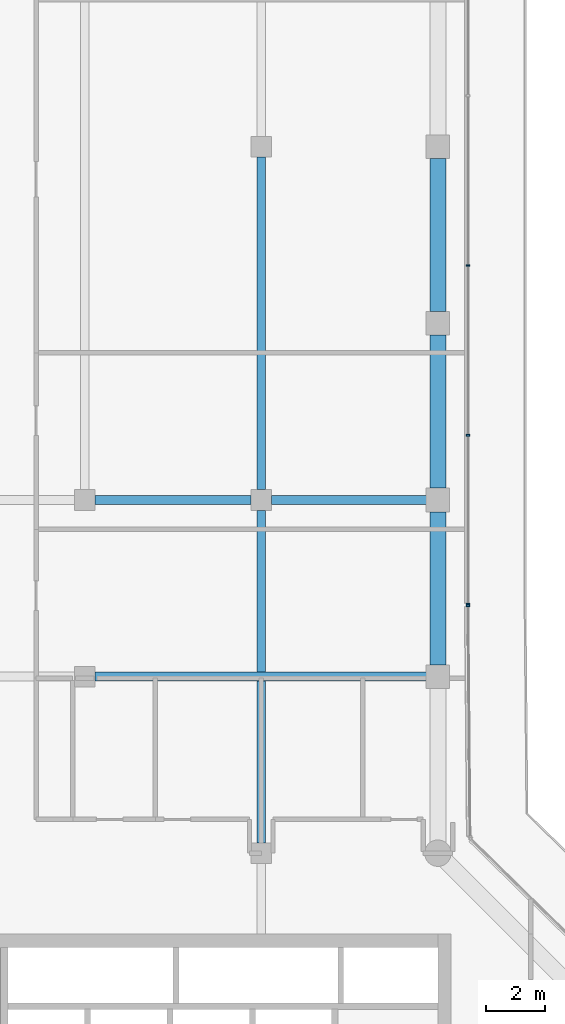
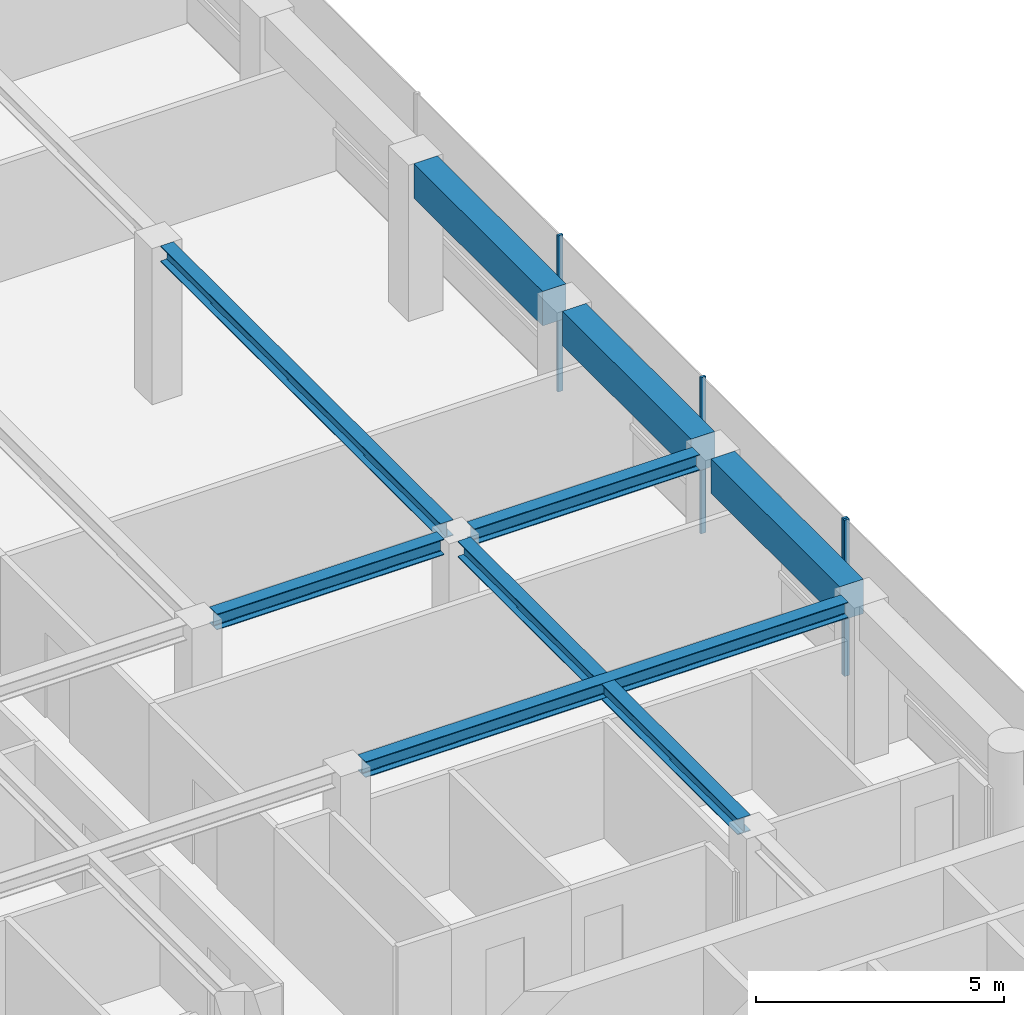
# One storey, part 7 of 19: 8 beams, 4 members, 2 elements without a shape of their own.
"""IFC4 building model written with IfcOpenShell, lengths in metres."""

from ifc_helpers import new_model, si_unit, direction, frame, origin, origin_2d, place, context, subcontext, project, spatial, rectangle, i_section, extrude, material, layer, layer_set, material_profile, profile_set, type_object, element, aggregate, save


model = new_model("IFC4")

# Units and contexts
model_context = context("Model", 3, precision=1e-05, world=origin(), true_north=direction((0.0, 1.0)))
body_context = subcontext(model_context, "Body", "Model", "MODEL_VIEW")
ifc_project = project(units=[si_unit("LENGTHUNIT", "METRE"), si_unit("AREAUNIT", "SQUARE_METRE"), si_unit("VOLUMEUNIT", "CUBIC_METRE"), si_unit("PLANEANGLEUNIT", "RADIAN"), si_unit("MASSUNIT", "GRAM", prefix="KILO")], contexts=[model_context])

# Site, building, storey
site_placement = place(None, origin())
site = spatial("IfcSite", under=ifc_project, at=site_placement, CompositionType="ELEMENT")
building_placement = place(site_placement, origin())
building = spatial("IfcBuilding", under=site, at=building_placement, Name="Welwitschia Terrace Campus", CompositionType="ELEMENT")
storey_placement = place(building_placement, frame((0.0, 0.0, 226.39990234375)))
storey = spatial("IfcBuildingStorey", under=building, at=storey_placement, Name="L50", CompositionType="ELEMENT", Elevation=226.39990234375)

# Beams
ifc_material_1 = material(Name="Steel S355", Category="steel")
ifc_material_profile_1 = material_profile(ifc_material_1, i_section(OverallWidth=0.300048828125, OverallDepth=0.389892578125, WebThickness=0.010986328125, FlangeThickness=0.01904296875, FilletRadius=0.027099609375, at=origin_2d()))
ifc_profile_set_1 = profile_set([ifc_material_profile_1], Name="Steel S355")
beam_type_1 = type_object("IfcBeamType", Name="Interior girder HE 400 A", PredefinedType="BEAM", material=ifc_profile_set_1)
beam_1_placement = place(storey_placement, frame((12.3505859375, 34.0, 3.655029296875), z_axis=(1.0, 0.0, 0.0), x_axis=(0.0, 1.0, 0.0)))
element("IfcBeam", 1, at=beam_1_placement, inside=storey, type_object=beam_type_1, Name="Girder GB5", PredefinedType="BEAM", context=body_context, shape_type="SweptSolid", body=[
    extrude(i_section(OverallWidth=0.300048828125, OverallDepth=0.389892578125, WebThickness=0.010986328125, FlangeThickness=0.01904296875, FilletRadius=0.027099609375, at=origin_2d()), origin(), (0.0, 0.0, 1.0), 11.259033203125),
])
beam_2_placement = place(storey_placement, frame((12.3505859375, 40.0, 3.655029296875), z_axis=(1.0, 0.0, 0.0), x_axis=(0.0, 1.0, 0.0)))
element("IfcBeam", 2, at=beam_2_placement, inside=storey, type_object=beam_type_1, Name="Girder GB5", PredefinedType="BEAM", context=body_context, shape_type="SweptSolid", body=[
    extrude(i_section(OverallWidth=0.300048828125, OverallDepth=0.389892578125, WebThickness=0.010986328125, FlangeThickness=0.01904296875, FilletRadius=0.027099609375, at=origin_2d()), origin(), (0.0, 0.0, 1.0), 5.298828125),
])
beam_3_placement = place(storey_placement, frame((18.3505859375, 40.0, 3.655029296875), z_axis=(1.0, 0.0, 0.0), x_axis=(0.0, 1.0, 0.0)))
element("IfcBeam", 3, at=beam_3_placement, inside=storey, type_object=beam_type_1, Name="Girder GB5", PredefinedType="BEAM", context=body_context, shape_type="SweptSolid", body=[
    extrude(i_section(OverallWidth=0.300048828125, OverallDepth=0.389892578125, WebThickness=0.010986328125, FlangeThickness=0.01904296875, FilletRadius=0.027099609375, at=origin_2d()), origin(), (0.0, 0.0, 1.0), 5.259033203125),
])
for number, where, z_axis, x_axis, name in (
    (4, (18.0, 28.3505859375, 3.655029296875), (0.0, 1.0, 0.0), (-1.0, 0.0, 0.0), "Girder GB5"),
    (5, (18.0, 40.3505859375, 3.655029296875), (0.0, 1.0, 0.0), (-1.0, 0.0, 0.0), "Girder GB5"),
):
    element("IfcBeam", number, at=place(storey_placement, frame(where, z_axis=z_axis, x_axis=x_axis)), inside=storey, type_object=beam_type_1, Name=name, PredefinedType="BEAM", context=body_context, shape_type="SweptSolid", body=[
        extrude(i_section(OverallWidth=0.300048828125, OverallDepth=0.389892578125, WebThickness=0.010986328125, FlangeThickness=0.01904296875, FilletRadius=0.027099609375, at=origin_2d()), origin(), (0.0, 0.0, 1.0), 11.298828125),
    ])

# Curtain wall, member
ifc_material_2 = material(Name="Bronze anodised aluminium", Category="aluminium")
ifc_layer = layer(ifc_material_2, 0.1201171875)
ifc_layer_set = layer_set([ifc_layer], Name="Bronze anodised aluminium")
curtain_wall_type = type_object("IfcCurtainWallType", Name="Curtain wall CW2 tower 6000", PredefinedType="NOTDEFINED", material=ifc_layer_set)
curtain_wall_1_placement = place(storey_placement, origin())
curtain_wall_1 = element("IfcCurtainWall", 6, at=curtain_wall_1_placement, inside=storey, type_object=curtain_wall_type, Name="CW L50.8.0", PredefinedType="NOTDEFINED")
ifc_material_3 = material(Name="Bronze anodised aluminium", Category="aluminium")
ifc_material_profile_2 = material_profile(ifc_material_3, rectangle(XDim=0.1201171875, YDim=0.06005859375, at=origin_2d()))
ifc_profile_set_2 = profile_set([ifc_material_profile_2], Name="Bronze anodised aluminium")
member_type = type_object("IfcMemberType", Name="Mullion 60x120", PredefinedType="MULLION", material=ifc_profile_set_2)
member_1_placement = place(storey_placement, frame((25.0302734375, 36.40625, 0.0), z_axis=(0.0, 0.0, 1.0), x_axis=(-0.999961923064, -0.008726535498, 0.0)))
member_1 = element("IfcMember", 7, at=member_1_placement, type_object=member_type, Name="Mullion L50.8.0.1", PredefinedType="MULLION", context=body_context, shape_type="SweptSolid", body=[
    extrude(rectangle(XDim=0.1201171875, YDim=0.06005859375, at=origin_2d()), origin(), (0.0, 0.0, 1.0), 3.85009765625),
])
aggregate(curtain_wall_1, [member_1])

# Curtain wall, members
curtain_wall_2_placement = place(storey_placement, origin())
curtain_wall_2 = element("IfcCurtainWall", 8, at=curtain_wall_2_placement, inside=storey, type_object=curtain_wall_type, Name="CW L50.9.0", PredefinedType="NOTDEFINED")
member_2_placement = place(storey_placement, frame((25.030029296875, 36.46630859375, 0.0), z_axis=(0.0, 0.0, 1.0), x_axis=(-1.0, 0.0, 0.0)))
member_2 = element("IfcMember", 9, at=member_2_placement, type_object=member_type, Name="Mullion L50.9.0.0", PredefinedType="MULLION", context=body_context, shape_type="SweptSolid", body=[
    extrude(rectangle(XDim=0.1201171875, YDim=0.06005859375, at=origin_2d()), origin(), (0.0, 0.0, 1.0), 3.85009765625),
])
member_3_placement = place(storey_placement, frame((25.030029296875, 42.201904296875, 0.0), z_axis=(0.0, 0.0, 1.0), x_axis=(-1.0, 0.0, 0.0)))
member_3 = element("IfcMember", 10, at=member_3_placement, type_object=member_type, Name="Mullion L50.9.0.1", PredefinedType="MULLION", context=body_context, shape_type="SweptSolid", body=[
    extrude(rectangle(XDim=0.1201171875, YDim=0.06005859375, at=origin_2d()), origin(), (0.0, 0.0, 1.0), 3.85009765625),
])
member_4_placement = place(storey_placement, frame((25.030029296875, 47.967529296875, 0.0), z_axis=(0.0, 0.0, 1.0), x_axis=(-1.0, 0.0, 0.0)))
member_4 = element("IfcMember", 11, at=member_4_placement, type_object=member_type, Name="Mullion L50.9.0.2", PredefinedType="MULLION", context=body_context, shape_type="SweptSolid", body=[
    extrude(rectangle(XDim=0.1201171875, YDim=0.06005859375, at=origin_2d()), origin(), (0.0, 0.0, 1.0), 3.85009765625),
])
aggregate(curtain_wall_2, [member_2, member_3, member_4])

# Beams
ifc_material_4 = material(Name="Concrete C50/60", Category="concrete")
ifc_material_profile_3 = material_profile(ifc_material_4, rectangle(XDim=0.550048828125, YDim=0.85009765625, at=origin_2d()))
ifc_profile_set_3 = profile_set([ifc_material_profile_3], Name="Concrete C50/60")
beam_type_2 = type_object("IfcBeamType", Name="Ring spandrel 550x850", PredefinedType="SPANDREL", material=ifc_profile_set_3)
for number, where, z_axis, x_axis, name in (
    (12, (24.0, 34.400390625, 3.425048828125), (0.0, 1.0, 0.0), (-1.0, 0.0, 0.0), "Spandrel SP3"),
    (13, (24.0, 40.400390625, 3.425048828125), (0.0, 1.0, 0.0), (-1.0, 0.0, 0.0), "Spandrel SP3"),
    (14, (24.0, 46.400390625, 3.425048828125), (0.0, 1.0, 0.0), (-1.0, 0.0, 0.0), "Spandrel SP3"),
):
    element("IfcBeam", number, at=place(storey_placement, frame(where, z_axis=z_axis, x_axis=x_axis)), inside=storey, type_object=beam_type_2, Name=name, PredefinedType="SPANDREL", context=body_context, shape_type="SweptSolid", body=[
        extrude(rectangle(XDim=0.550048828125, YDim=0.85009765625, at=origin_2d()), origin(), (0.0, 0.0, 1.0), 5.19921875),
    ])

save(model, "model.ifc")
